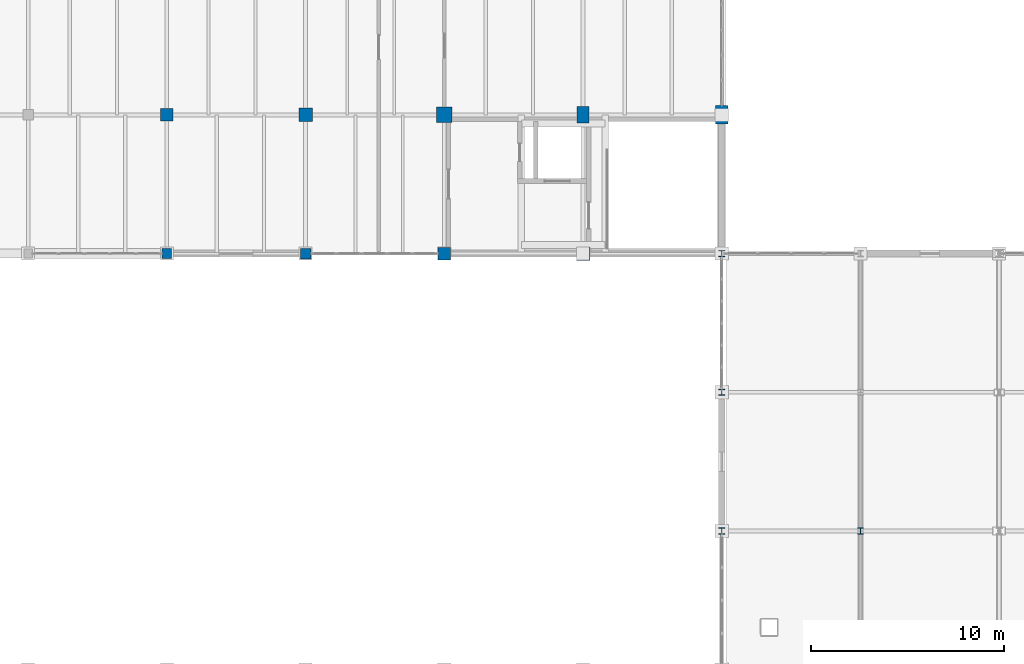
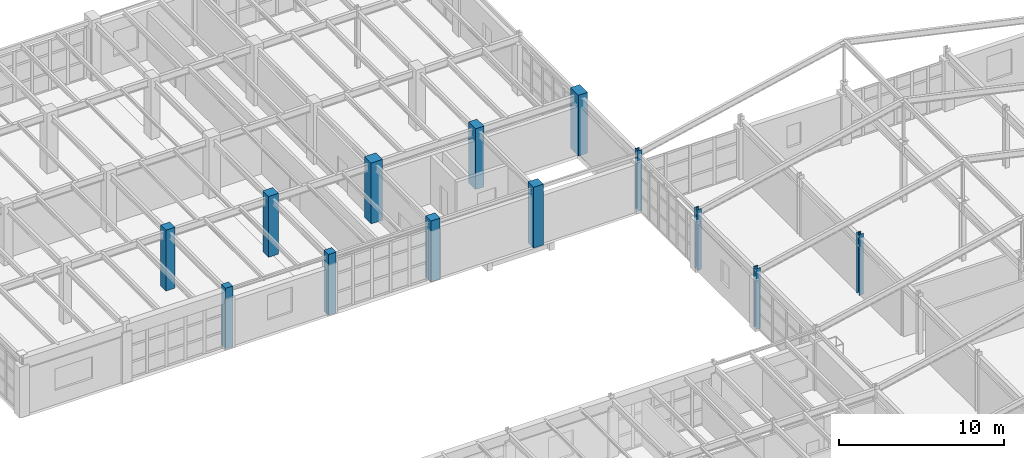
# One storey, part 15 of 137: 13 columns.
"""IFC4 building model written with IfcOpenShell, lengths in metres."""

from ifc_helpers import new_model, si_unit, direction, frame, origin, origin_2d, place, context, subcontext, project, spatial, rectangle, i_section, extrude, material, material_profile, profile_set, type_object, element, save


model = new_model("IFC4")

# Units and contexts
model_context = context("Model", 3, precision=1e-05, world=origin(), true_north=direction((0.0, 1.0)))
body_context = subcontext(model_context, "Body", "Model", "MODEL_VIEW")
ifc_project = project(units=[si_unit("LENGTHUNIT", "METRE"), si_unit("AREAUNIT", "SQUARE_METRE"), si_unit("VOLUMEUNIT", "CUBIC_METRE"), si_unit("PLANEANGLEUNIT", "RADIAN"), si_unit("MASSUNIT", "GRAM", prefix="KILO")], contexts=[model_context])

# Site, building, storey
site_placement = place(None, origin())
site = spatial("IfcSite", under=ifc_project, at=site_placement, CompositionType="ELEMENT")
building_placement = place(site_placement, origin())
building = spatial("IfcBuilding", under=site, at=building_placement, Name="Kemerveld Promenade Tramway Depot", CompositionType="ELEMENT")
storey_placement = place(building_placement, frame((0.0, 0.0, 5.39990234375)))
storey = spatial("IfcBuildingStorey", under=building, at=storey_placement, Name="L01", CompositionType="ELEMENT", Elevation=5.39990234375)

# Columns
ifc_material_1 = material(Name="Concrete C40/50", Category="concrete")
ifc_material_profile_1 = material_profile(ifc_material_1, rectangle(XDim=0.800048828125, YDim=0.800048828125, at=origin_2d()), Name="RC-COL-800x800")
ifc_profile_set_1 = profile_set([ifc_material_profile_1], Name="Concrete C40/50")
column_type_1 = type_object("IfcColumnType", Name="COL-RC10", PredefinedType="COLUMN", material=ifc_profile_set_1)
column_1_placement = place(storey_placement, frame((144.0, 57.60009765625, 0.0), z_axis=(0.0, 0.0, 1.0), x_axis=(1.0, 0.0, 0.0)))
element("IfcColumn", 1, at=column_1_placement, inside=storey, type_object=column_type_1, Name="COL-L01-21-J", PredefinedType="COLUMN", context=body_context, shape_type="SweptSolid", body=[
    extrude(rectangle(XDim=0.800048828125, YDim=0.800048828125, at=origin_2d()), origin(), (0.0, 0.0, 1.0), 4.5),
])
ifc_material_profile_2 = material_profile(ifc_material_1, rectangle(XDim=0.60009765625, YDim=0.85009765625, at=origin_2d()), Name="RC-PIER-850x600")
ifc_profile_set_2 = profile_set([ifc_material_profile_2], Name="Concrete C40/50")
column_type_2 = type_object("IfcColumnType", Name="COL-RC11", PredefinedType="COLUMN", material=ifc_profile_set_2)
column_2_placement = place(storey_placement, frame((151.199951171875, 57.60009765625, 0.0), z_axis=(0.0, 0.0, 1.0), x_axis=(1.0, 0.0, 0.0)))
element("IfcColumn", 2, at=column_2_placement, inside=storey, type_object=column_type_2, Name="COL-L01-22-J", PredefinedType="COLUMN", context=body_context, shape_type="SweptSolid", body=[
    extrude(rectangle(XDim=0.60009765625, YDim=0.85009765625, at=origin_2d()), origin(), (0.0, 0.0, 1.0), 4.5),
])
ifc_material_profile_3 = material_profile(ifc_material_1, rectangle(XDim=0.64990234375, YDim=0.949951171875, at=origin_2d()), Name="RC-PIER-950x650")
ifc_profile_set_3 = profile_set([ifc_material_profile_3], Name="Concrete C40/50")
column_type_3 = type_object("IfcColumnType", Name="COL-RC12", PredefinedType="COLUMN", material=ifc_profile_set_3)
column_3_placement = place(storey_placement, frame((158.39990234375, 57.60009765625, 0.0), z_axis=(0.0, 0.0, 1.0), x_axis=(1.0, 0.0, 0.0)))
element("IfcColumn", 3, at=column_3_placement, inside=storey, type_object=column_type_3, Name="COL-L01-23-J", PredefinedType="COLUMN", context=body_context, shape_type="SweptSolid", body=[
    extrude(rectangle(XDim=0.64990234375, YDim=0.949951171875, at=origin_2d()), origin(), (0.0, 0.0, 1.0), 4.5),
])
ifc_material_profile_4 = material_profile(ifc_material_1, rectangle(XDim=0.5, YDim=0.5, at=origin_2d()), Name="RC-COL-500x500")
ifc_profile_set_4 = profile_set([ifc_material_profile_4], Name="Concrete C40/50")
column_type_4 = type_object("IfcColumnType", Name="COL-RC6", PredefinedType="COLUMN", material=ifc_profile_set_4)
column_4_placement = place(storey_placement, frame((129.60009765625, 50.39990234375, 0.0), z_axis=(0.0, 0.0, 1.0), x_axis=(1.0, 0.0, 0.0)))
element("IfcColumn", 4, at=column_4_placement, inside=storey, type_object=column_type_4, Name="COL-L01-19-H", PredefinedType="COLUMN", context=body_context, shape_type="SweptSolid", body=[
    extrude(rectangle(XDim=0.5, YDim=0.5, at=origin_2d()), origin(), (0.0, 0.0, 1.0), 4.5),
])
ifc_material_profile_5 = material_profile(ifc_material_1, rectangle(XDim=0.550048828125, YDim=0.550048828125, at=origin_2d()), Name="RC-COL-550x550")
ifc_profile_set_5 = profile_set([ifc_material_profile_5], Name="Concrete C40/50")
column_type_5 = type_object("IfcColumnType", Name="COL-RC7", PredefinedType="COLUMN", material=ifc_profile_set_5)
column_5_placement = place(storey_placement, frame((136.800048828125, 50.39990234375, 0.0), z_axis=(0.0, 0.0, 1.0), x_axis=(1.0, 0.0, 0.0)))
element("IfcColumn", 5, at=column_5_placement, inside=storey, type_object=column_type_5, Name="COL-L01-20-H", PredefinedType="COLUMN", context=body_context, shape_type="SweptSolid", body=[
    extrude(rectangle(XDim=0.550048828125, YDim=0.550048828125, at=origin_2d()), origin(), (0.0, 0.0, 1.0), 4.5),
])
ifc_material_profile_6 = material_profile(ifc_material_1, rectangle(XDim=0.64990234375, YDim=0.64990234375, at=origin_2d()), Name="RC-COL-650x650")
ifc_profile_set_6 = profile_set([ifc_material_profile_6], Name="Concrete C40/50")
column_type_6 = type_object("IfcColumnType", Name="COL-RC8", PredefinedType="COLUMN", material=ifc_profile_set_6)
for number, where, z_axis, x_axis, name in (
    (6, (129.60009765625, 57.60009765625, 0.0), (0.0, 0.0, 1.0), (1.0, 0.0, 0.0), "COL-L01-19-J"),
    (7, (144.0, 50.39990234375, 0.0), (0.0, 0.0, 1.0), (1.0, 0.0, 0.0), "COL-L01-21-H"),
):
    element("IfcColumn", number, at=place(storey_placement, frame(where, z_axis=z_axis, x_axis=x_axis)), inside=storey, type_object=column_type_6, Name=name, PredefinedType="COLUMN", context=body_context, shape_type="SweptSolid", body=[
        extrude(rectangle(XDim=0.64990234375, YDim=0.64990234375, at=origin_2d()), origin(), (0.0, 0.0, 1.0), 4.5),
    ])
ifc_material_profile_7 = material_profile(ifc_material_1, rectangle(XDim=0.699951171875, YDim=0.699951171875, at=origin_2d()), Name="RC-COL-700x700")
ifc_profile_set_7 = profile_set([ifc_material_profile_7], Name="Concrete C40/50")
column_type_7 = type_object("IfcColumnType", Name="COL-RC9", PredefinedType="COLUMN", material=ifc_profile_set_7)
for number, where, z_axis, x_axis, name in (
    (8, (136.800048828125, 57.60009765625, 0.0), (0.0, 0.0, 1.0), (1.0, 0.0, 0.0), "COL-L01-20-J"),
    (9, (151.199951171875, 50.39990234375, 0.0), (0.0, 0.0, 1.0), (1.0, 0.0, 0.0), "COL-L01-22-H"),
):
    element("IfcColumn", number, at=place(storey_placement, frame(where, z_axis=z_axis, x_axis=x_axis)), inside=storey, type_object=column_type_7, Name=name, PredefinedType="COLUMN", context=body_context, shape_type="SweptSolid", body=[
        extrude(rectangle(XDim=0.699951171875, YDim=0.699951171875, at=origin_2d()), origin(), (0.0, 0.0, 1.0), 4.5),
    ])
ifc_material_2 = material(Name="Steel S355", Category="steel")
ifc_material_profile_8 = material_profile(ifc_material_2, i_section(OverallWidth=0.307373046875, OverallDepth=0.314453125, WebThickness=0.011962890625, FlangeThickness=0.018798828125, FilletRadius=0.01513671875, at=origin_2d()), Name="305x305x118 UC")
ifc_profile_set_8 = profile_set([ifc_material_profile_8], Name="Steel S355")
column_type_8 = type_object("IfcColumnType", Name="COL-S06", PredefinedType="COLUMN", material=ifc_profile_set_8)
for number, where, z_axis, x_axis, name in (
    (10, (158.39990234375, 36.0, 0.0), (0.0, 0.0, 1.0), (1.0, 0.0, 0.0), "COL-L01-23-F"),
    (11, (158.39990234375, 43.199951171875, 0.0), (0.0, 0.0, 1.0), (1.0, 0.0, 0.0), "COL-L01-23-G"),
    (12, (158.39990234375, 50.39990234375, 0.0), (0.0, 0.0, 1.0), (1.0, 0.0, 0.0), "COL-L01-23-H"),
    (13, (165.60009765625, 36.0, 0.0), (0.0, 0.0, 1.0), (1.0, 0.0, 0.0), "COL-L01-24-F"),
):
    element("IfcColumn", number, at=place(storey_placement, frame(where, z_axis=z_axis, x_axis=x_axis)), inside=storey, type_object=column_type_8, Name=name, PredefinedType="COLUMN", context=body_context, shape_type="SweptSolid", body=[
        extrude(i_section(OverallWidth=0.307373046875, OverallDepth=0.314453125, WebThickness=0.011962890625, FlangeThickness=0.018798828125, FilletRadius=0.01513671875, at=origin_2d()), origin(), (0.0, 0.0, 1.0), 4.5),
    ])

save(model, "model.ifc")
